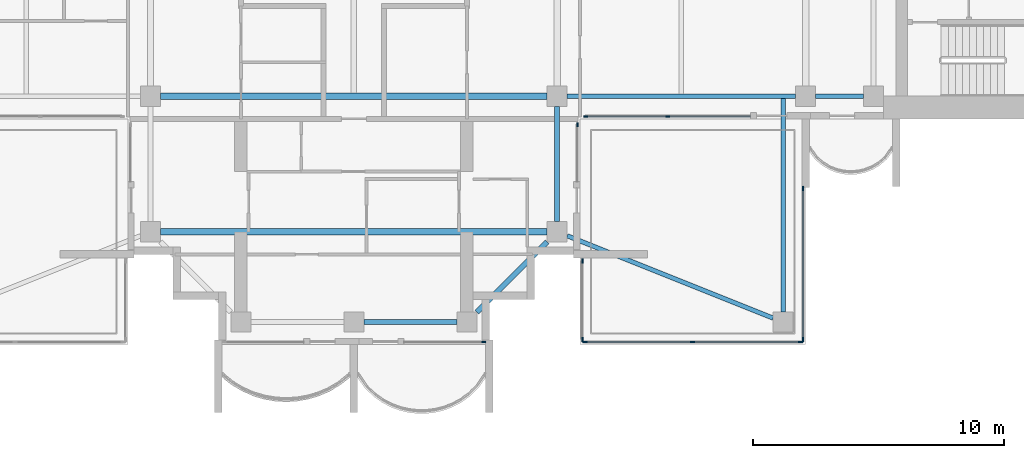
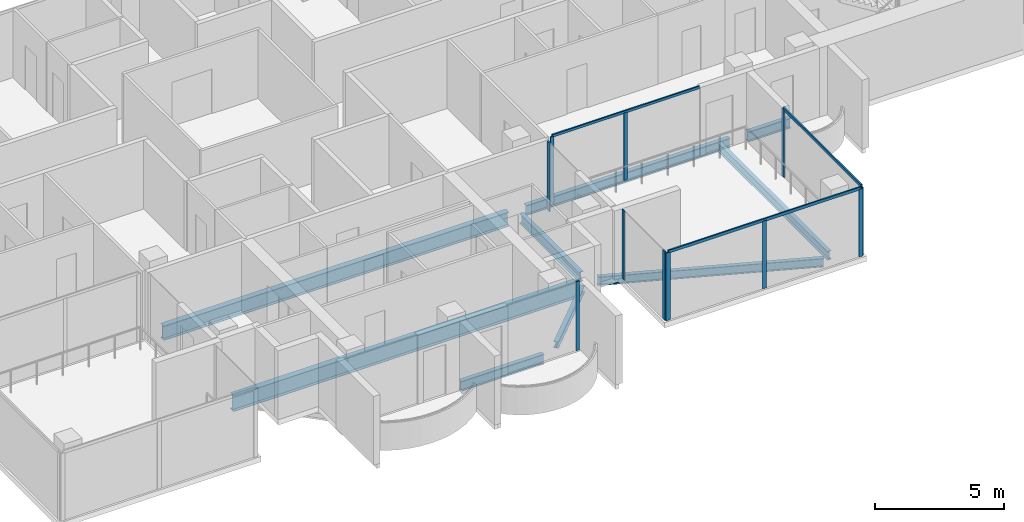
# One storey, part 3 of 16: 14 members, 9 beams, 6 elements without a shape of their own.
"""IFC4 building model written with IfcOpenShell, lengths in metres."""

from ifc_helpers import new_model, si_unit, direction, frame, origin, origin_2d, place, context, subcontext, project, spatial, rectangle, i_section, extrude, material, material_profile, profile_set, type_object, element, aggregate, save


model = new_model("IFC4")

# Units and contexts
model_context = context("Model", 3, precision=1e-05, world=origin(), true_north=direction((0.0, 1.0)))
body_context = subcontext(model_context, "Body", "Model", "MODEL_VIEW")
ifc_project = project(units=[si_unit("LENGTHUNIT", "METRE"), si_unit("AREAUNIT", "SQUARE_METRE"), si_unit("VOLUMEUNIT", "CUBIC_METRE"), si_unit("PLANEANGLEUNIT", "RADIAN"), si_unit("MASSUNIT", "GRAM", prefix="KILO")], contexts=[model_context])

# Site, building, storey
site_placement = place(None, origin())
site = spatial("IfcSite", under=ifc_project, at=site_placement, CompositionType="ELEMENT")
building_placement = place(site_placement, origin())
building = spatial("IfcBuilding", under=site, at=building_placement, Name="Perihelion Cross Residences", CompositionType="ELEMENT")
storey_placement = place(building_placement, frame((0.0, 0.0, 243.0)))
storey = spatial("IfcBuildingStorey", under=building, at=storey_placement, Name="L61", CompositionType="ELEMENT", Elevation=243.0)

# Curtain wall, member
ifc_material_1 = material(Name="Bronze anodised aluminium, tinted glazing", Category="aluminium")
curtain_wall_type_1 = type_object("IfcCurtainWallType", Name="CW1", PredefinedType="NOTDEFINED", material=ifc_material_1)
curtain_wall_1_placement = place(storey_placement, origin())
curtain_wall_1 = element("IfcCurtainWall", 1, at=curtain_wall_1_placement, inside=storey, type_object=curtain_wall_type_1, Name="Curtain wall CW1 L61 south tip south bay 2", PredefinedType="NOTDEFINED")
ifc_material_2 = material(Name="Bronze anodised aluminium", Category="aluminium")
ifc_material_profile_1 = material_profile(ifc_material_2, rectangle(XDim=0.06005859375, YDim=0.159912109375, at=origin_2d()), Name="CW1 mullion")
ifc_profile_set_1 = profile_set([ifc_material_profile_1], Name="Bronze anodised aluminium")
member_type_1 = type_object("IfcMemberType", Name="CW1 mullion", PredefinedType="MULLION", material=ifc_profile_set_1)
member_1_placement = place(storey_placement, frame((5.169921875, -17.89990234375, 0.0), z_axis=(0.0, 0.0, 1.0), x_axis=(0.0, 1.0, 0.0)))
member_1 = element("IfcMember", 2, at=member_1_placement, type_object=member_type_1, Name="CW1 mullion 2", PredefinedType="MULLION", context=body_context, shape_type="SweptSolid", body=[
    extrude(rectangle(XDim=0.06005859375, YDim=0.159912109375, at=origin_2d()), origin(), (0.0, 0.0, 1.0), 3.25),
])
aggregate(curtain_wall_1, [member_1])

curtain_wall_2_placement = place(storey_placement, origin())
curtain_wall_2 = element("IfcCurtainWall", 3, at=curtain_wall_2_placement, inside=storey, type_object=curtain_wall_type_1, Name="Curtain wall CW1 L61 south side east bay 1", PredefinedType="NOTDEFINED")
member_2_placement = place(storey_placement, frame((8.89990234375, -9.22998046875, 0.0), z_axis=(0.0, 0.0, 1.0), x_axis=(-1.0, 0.0, 0.0)))
member_2 = element("IfcMember", 4, at=member_2_placement, type_object=member_type_1, Name="CW1 mullion 2", PredefinedType="MULLION", context=body_context, shape_type="SweptSolid", body=[
    extrude(rectangle(XDim=0.06005859375, YDim=0.159912109375, at=origin_2d()), origin(), (0.0, 0.0, 1.0), 3.25),
])
aggregate(curtain_wall_2, [member_2])

# Curtain wall, members
curtain_wall_3_placement = place(storey_placement, origin())
curtain_wall_3 = element("IfcCurtainWall", 5, at=curtain_wall_3_placement, inside=storey, type_object=curtain_wall_type_1, Name="Curtain wall CW1 L61 east side south bay 1", PredefinedType="NOTDEFINED")
member_3_placement = place(storey_placement, frame((9.22998046875, -8.89990234375, 0.0), z_axis=(0.0, 0.0, 1.0), x_axis=(0.0, 1.0, 0.0)))
member_3 = element("IfcMember", 6, at=member_3_placement, type_object=member_type_1, Name="CW1 mullion 1", PredefinedType="MULLION", context=body_context, shape_type="SweptSolid", body=[
    extrude(rectangle(XDim=0.06005859375, YDim=0.159912109375, at=origin_2d()), origin(), (0.0, 0.0, 1.0), 3.18994140625),
])
member_4_placement = place(storey_placement, frame((12.5, -8.89990234375, 0.0), z_axis=(0.0, 0.0, 1.0), x_axis=(0.0, 1.0, 0.0)))
member_4 = element("IfcMember", 7, at=member_4_placement, type_object=member_type_1, Name="CW1 mullion 2", PredefinedType="MULLION", context=body_context, shape_type="SweptSolid", body=[
    extrude(rectangle(XDim=0.06005859375, YDim=0.159912109375, at=origin_2d()), origin(), (0.0, 0.0, 1.0), 3.18994140625),
])
ifc_material_3 = material(Name="Bronze anodised aluminium", Category="aluminium")
ifc_material_profile_2 = material_profile(ifc_material_3, rectangle(XDim=0.06005859375, YDim=0.1201171875, at=origin_2d()), Name="CW1 transom")
ifc_profile_set_2 = profile_set([ifc_material_profile_2], Name="Bronze anodised aluminium")
member_type_2 = type_object("IfcMemberType", Name="CW1 transom", PredefinedType="USERDEFINED", material=ifc_profile_set_2)
member_5_placement = place(storey_placement, frame((9.22998046875, -8.89990234375, 3.219970703125), z_axis=(1.0, 0.0, 0.0), x_axis=(0.0, 1.0, 0.0)))
member_5 = element("IfcMember", 8, at=member_5_placement, type_object=member_type_2, Name="CW1 head transom", ObjectType="TRANSOM", PredefinedType="USERDEFINED", context=body_context, shape_type="SweptSolid", body=[
    extrude(rectangle(XDim=0.06005859375, YDim=0.1201171875, at=origin_2d()), origin(), (0.0, 0.0, 1.0), 6.570068359375),
])
aggregate(curtain_wall_3, [member_3, member_4, member_5])

ifc_material_4 = material(Name="Bronze anodised aluminium, tinted glazing", Category="aluminium")
curtain_wall_type_2 = type_object("IfcCurtainWallType", Name="CW4", PredefinedType="NOTDEFINED", material=ifc_material_4)
curtain_wall_4_placement = place(storey_placement, origin())
curtain_wall_4 = element("IfcCurtainWall", 9, at=curtain_wall_4_placement, inside=storey, type_object=curtain_wall_type_2, Name="Curtain wall CW4 L61 pocket south-east 1 1", PredefinedType="NOTDEFINED")
ifc_material_5 = material(Name="Bronze anodised aluminium", Category="aluminium")
ifc_material_profile_3 = material_profile(ifc_material_5, rectangle(XDim=0.06005859375, YDim=0.179931640625, at=origin_2d()), Name="CW4 mullion")
ifc_profile_set_3 = profile_set([ifc_material_profile_3], Name="Bronze anodised aluminium")
member_type_3 = type_object("IfcMemberType", Name="CW4 mullion", PredefinedType="MULLION", material=ifc_profile_set_3)
member_6_placement = place(storey_placement, frame((17.89990234375, -11.77001953125, 0.0), z_axis=(0.0, 0.0, 1.0), x_axis=(1.0, 0.0, 0.0)))
member_6 = element("IfcMember", 10, at=member_6_placement, type_object=member_type_3, Name="CW4 mullion 1", PredefinedType="MULLION", context=body_context, shape_type="SweptSolid", body=[
    extrude(rectangle(XDim=0.06005859375, YDim=0.179931640625, at=origin_2d()), origin(), (0.0, 0.0, 1.0), 3.18994140625),
])
member_7_placement = place(storey_placement, frame((17.89990234375, -17.800048828125, 0.0), z_axis=(0.0, 0.0, 1.0), x_axis=(1.0, 0.0, 0.0)))
member_7 = element("IfcMember", 11, at=member_7_placement, type_object=member_type_3, Name="CW4 mullion 2", PredefinedType="MULLION", context=body_context, shape_type="SweptSolid", body=[
    extrude(rectangle(XDim=0.06005859375, YDim=0.179931640625, at=origin_2d()), origin(), (0.0, 0.0, 1.0), 3.18994140625),
])

curtain_wall_5_placement = place(storey_placement, origin())
curtain_wall_5 = element("IfcCurtainWall", 12, at=curtain_wall_5_placement, inside=storey, type_object=curtain_wall_type_2, Name="Curtain wall CW4 L61 pocket south-east 1 2", PredefinedType="NOTDEFINED")
member_8_placement = place(storey_placement, frame((17.800048828125, -17.89990234375, 0.0), z_axis=(0.0, 0.0, 1.0), x_axis=(0.0, -1.0, 0.0)))
member_8 = element("IfcMember", 13, at=member_8_placement, type_object=member_type_3, Name="CW4 mullion 1", PredefinedType="MULLION", context=body_context, shape_type="SweptSolid", body=[
    extrude(rectangle(XDim=0.06005859375, YDim=0.179931640625, at=origin_2d()), origin(), (0.0, 0.0, 1.0), 3.18994140625),
])
member_9_placement = place(storey_placement, frame((13.5, -17.89990234375, 0.0), z_axis=(0.0, 0.0, 1.0), x_axis=(0.0, -1.0, 0.0)))
member_9 = element("IfcMember", 14, at=member_9_placement, type_object=member_type_3, Name="CW4 mullion 2", PredefinedType="MULLION", context=body_context, shape_type="SweptSolid", body=[
    extrude(rectangle(XDim=0.06005859375, YDim=0.179931640625, at=origin_2d()), origin(), (0.0, 0.0, 1.0), 3.18994140625),
])
member_10_placement = place(storey_placement, frame((9.199951171875, -17.89990234375, 0.0), z_axis=(0.0, 0.0, 1.0), x_axis=(0.0, -1.0, 0.0)))
member_10 = element("IfcMember", 15, at=member_10_placement, type_object=member_type_3, Name="CW4 mullion 3", PredefinedType="MULLION", context=body_context, shape_type="SweptSolid", body=[
    extrude(rectangle(XDim=0.06005859375, YDim=0.179931640625, at=origin_2d()), origin(), (0.0, 0.0, 1.0), 3.18994140625),
])

curtain_wall_6_placement = place(storey_placement, origin())
curtain_wall_6 = element("IfcCurtainWall", 16, at=curtain_wall_6_placement, inside=storey, type_object=curtain_wall_type_2, Name="Curtain wall CW4 L61 pocket south-east 1 3", PredefinedType="NOTDEFINED")
member_11_placement = place(storey_placement, frame((9.10009765625, -17.800048828125, 0.0), z_axis=(0.0, 0.0, 1.0), x_axis=(-1.0, 0.0, 0.0)))
member_11 = element("IfcMember", 17, at=member_11_placement, type_object=member_type_3, Name="CW4 mullion 1", PredefinedType="MULLION", context=body_context, shape_type="SweptSolid", body=[
    extrude(rectangle(XDim=0.06005859375, YDim=0.179931640625, at=origin_2d()), origin(), (0.0, 0.0, 1.0), 3.25),
])
member_12_placement = place(storey_placement, frame((9.10009765625, -14.658935546875, 0.0), z_axis=(0.0, 0.0, 1.0), x_axis=(-1.0, 0.0, 0.0)))
member_12 = element("IfcMember", 18, at=member_12_placement, type_object=member_type_3, Name="CW4 mullion 2", PredefinedType="MULLION", context=body_context, shape_type="SweptSolid", body=[
    extrude(rectangle(XDim=0.06005859375, YDim=0.179931640625, at=origin_2d()), origin(), (0.0, 0.0, 1.0), 3.25),
])
aggregate(curtain_wall_6, [member_11, member_12])

# Member
ifc_material_6 = material(Name="Bronze anodised aluminium", Category="aluminium")
ifc_material_profile_4 = material_profile(ifc_material_6, rectangle(XDim=0.06005859375, YDim=0.139892578125, at=origin_2d()), Name="CW4 transom")
ifc_profile_set_4 = profile_set([ifc_material_profile_4], Name="Bronze anodised aluminium")
member_type_4 = type_object("IfcMemberType", Name="CW4 transom", PredefinedType="USERDEFINED", material=ifc_profile_set_4)
member_13_placement = place(storey_placement, frame((17.89990234375, -11.77001953125, 3.219970703125), z_axis=(0.0, -1.0, 0.0), x_axis=(1.0, 0.0, 0.0)))
member_13 = element("IfcMember", 19, at=member_13_placement, type_object=member_type_4, Name="CW4 head transom", ObjectType="TRANSOM", PredefinedType="USERDEFINED", context=body_context, shape_type="SweptSolid", body=[
    extrude(rectangle(XDim=0.06005859375, YDim=0.139892578125, at=origin_2d()), origin(), (0.0, 0.0, 1.0), 6.030029296875),
])

aggregate(curtain_wall_4, [member_6, member_7, member_13])

member_14_placement = place(storey_placement, frame((17.800048828125, -17.89990234375, 3.219970703125), z_axis=(-1.0, 0.0, 0.0), x_axis=(0.0, -1.0, 0.0)))
member_14 = element("IfcMember", 20, at=member_14_placement, type_object=member_type_4, Name="CW4 head transom", ObjectType="TRANSOM", PredefinedType="USERDEFINED", context=body_context, shape_type="SweptSolid", body=[
    extrude(rectangle(XDim=0.06005859375, YDim=0.139892578125, at=origin_2d()), origin(), (0.0, 0.0, 1.0), 8.60009765625),
])

aggregate(curtain_wall_5, [member_8, member_9, member_10, member_14])

# Beams
ifc_material_7 = material(Name="Steel S355", Category="steel")
ifc_material_profile_5 = material_profile(ifc_material_7, i_section(OverallWidth=0.177978515625, OverallDepth=0.406005859375, WebThickness=0.0078125, FlangeThickness=0.0126953125, at=origin_2d()), Name="W410x60")
ifc_profile_set_5 = profile_set([ifc_material_profile_5], Name="Steel S355")
beam_type_1 = type_object("IfcBeamType", Name="Core edge beam W410x60", PredefinedType="BEAM", material=ifc_profile_set_5)
beam_1_placement = place(storey_placement, frame((17.10009765625, -8.197021484375, -0.452880859375), z_axis=(0.0, -1.0, 0.0), x_axis=(1.0, 0.0, 0.0)))
element("IfcBeam", 21, at=beam_1_placement, inside=storey, type_object=beam_type_1, Name="Core edge beam TB2 L61 corner no. 3", PredefinedType="BEAM", context=body_context, shape_type="SweptSolid", body=[
    extrude(i_section(OverallWidth=0.177978515625, OverallDepth=0.406005859375, WebThickness=0.0078125, FlangeThickness=0.0126953125, at=origin_2d()), origin(), (0.0, 0.0, 1.0), 8.5029296875),
])
beam_2_placement = place(storey_placement, frame((8.5, -13.659912109375, -0.452880859375), z_axis=(0.928474784399, -0.371395442534, 0.0), x_axis=(0.371395442534, 0.928474784399, 0.0)))
element("IfcBeam", 22, at=beam_2_placement, inside=storey, type_object=beam_type_1, Name="Core edge beam TB2 L61 corner no. 4", PredefinedType="BEAM", context=body_context, shape_type="SweptSolid", body=[
    extrude(i_section(OverallWidth=0.177978515625, OverallDepth=0.406005859375, WebThickness=0.0078125, FlangeThickness=0.0126953125, at=origin_2d()), origin(), (0.0, 0.0, 1.0), 8.83154296875),
])
ifc_material_8 = material(Name="Steel S355", Category="steel")
ifc_material_profile_6 = material_profile(ifc_material_8, i_section(OverallWidth=0.194091796875, OverallDepth=0.469970703125, WebThickness=0.0126953125, FlangeThickness=0.0205078125, at=origin_2d()), Name="W460x106")
ifc_profile_set_6 = profile_set([ifc_material_profile_6], Name="Steel S355")
beam_type_2 = type_object("IfcBeamType", Name="Edge beam W460x106", PredefinedType="SPANDREL", material=ifc_profile_set_6)
beam_3_placement = place(storey_placement, frame((0.39990234375, -17.10009765625, -0.485107421875), z_axis=(1.0, 0.0, 0.0), x_axis=(0.0, 1.0, 0.0)))
element("IfcBeam", 23, at=beam_3_placement, inside=storey, type_object=beam_type_2, Name="Edge beam SB5 L61 no. 7", PredefinedType="SPANDREL", context=body_context, shape_type="SweptSolid", body=[
    extrude(i_section(OverallWidth=0.194091796875, OverallDepth=0.469970703125, WebThickness=0.0126953125, FlangeThickness=0.0205078125, at=origin_2d()), origin(), (0.0, 0.0, 1.0), 3.7001953125),
])
beam_4_placement = place(storey_placement, frame((8.10009765625, -13.10009765625, -0.485107421875), z_axis=(0.0, 1.0, 0.0), x_axis=(-1.0, 0.0, 0.0)))
element("IfcBeam", 24, at=beam_4_placement, inside=storey, type_object=beam_type_2, Name="Edge beam SB5 L61 no. 11", PredefinedType="SPANDREL", context=body_context, shape_type="SweptSolid", body=[
    extrude(i_section(OverallWidth=0.194091796875, OverallDepth=0.469970703125, WebThickness=0.0126953125, FlangeThickness=0.0205078125, at=origin_2d()), origin(), (0.0, 0.0, 1.0), 4.60009765625),
])
beam_5_placement = place(storey_placement, frame((8.5, -8.10009765625, -0.485107421875), z_axis=(1.0, 0.0, 0.0), x_axis=(0.0, 1.0, 0.0)))
element("IfcBeam", 25, at=beam_5_placement, inside=storey, type_object=beam_type_2, Name="Edge beam SB5 L61 no. 12", PredefinedType="SPANDREL", context=body_context, shape_type="SweptSolid", body=[
    extrude(i_section(OverallWidth=0.194091796875, OverallDepth=0.469970703125, WebThickness=0.0126953125, FlangeThickness=0.0205078125, at=origin_2d()), origin(), (0.0, 0.0, 1.0), 9.10009765625),
])
beam_6_placement = place(storey_placement, frame((18.39990234375, -8.10009765625, -0.485107421875), z_axis=(1.0, 0.0, 0.0), x_axis=(0.0, 1.0, 0.0)))
element("IfcBeam", 26, at=beam_6_placement, inside=storey, type_object=beam_type_2, Name="Edge beam SB5 L61 no. 8", PredefinedType="SPANDREL", context=body_context, shape_type="SweptSolid", body=[
    extrude(i_section(OverallWidth=0.194091796875, OverallDepth=0.469970703125, WebThickness=0.0126953125, FlangeThickness=0.0205078125, at=origin_2d()), origin(), (0.0, 0.0, 1.0), 1.900146484375),
])
ifc_material_9 = material(Name="Steel S355", Category="steel")
ifc_material_profile_7 = material_profile(ifc_material_9, i_section(OverallWidth=0.26708984375, OverallDepth=0.75390625, WebThickness=0.01318359375, FlangeThickness=0.01708984375, at=origin_2d()), Name="W760x147")
ifc_profile_set_7 = profile_set([ifc_material_profile_7], Name="Steel S355")
beam_type_3 = type_object("IfcBeamType", Name="Floor girder W760x147", PredefinedType="BEAM", material=ifc_profile_set_7)
beam_7_placement = place(storey_placement, frame((-7.699951171875, -13.5, -0.626953125), z_axis=(1.0, 0.0, 0.0), x_axis=(0.0, 1.0, 0.0)))
element("IfcBeam", 27, at=beam_7_placement, inside=storey, type_object=beam_type_3, Name="Girder G5 L61 no. 3", PredefinedType="BEAM", context=body_context, shape_type="SweptSolid", body=[
    extrude(i_section(OverallWidth=0.26708984375, OverallDepth=0.75390625, WebThickness=0.01318359375, FlangeThickness=0.01708984375, at=origin_2d()), origin(), (0.0, 0.0, 1.0), 15.39990234375),
])
ifc_material_10 = material(Name="Steel S355", Category="steel")
ifc_material_profile_8 = material_profile(ifc_material_10, i_section(OverallWidth=0.25390625, OverallDepth=0.677978515625, WebThickness=0.01171875, FlangeThickness=0.016357421875, at=origin_2d()), Name="W690x125")
ifc_profile_set_8 = profile_set([ifc_material_profile_8], Name="Steel S355")
beam_type_4 = type_object("IfcBeamType", Name="Hub ring girder W690x125", PredefinedType="BEAM", material=ifc_profile_set_8)
beam_8_placement = place(storey_placement, frame((-7.699951171875, -8.10009765625, -0.589111328125), z_axis=(1.0, 0.0, 0.0), x_axis=(0.0, 1.0, 0.0)))
element("IfcBeam", 28, at=beam_8_placement, inside=storey, type_object=beam_type_4, Name="Hub ring girder RG5 L61 no. 1", PredefinedType="BEAM", context=body_context, shape_type="SweptSolid", body=[
    extrude(i_section(OverallWidth=0.25390625, OverallDepth=0.677978515625, WebThickness=0.01171875, FlangeThickness=0.016357421875, at=origin_2d()), origin(), (0.0, 0.0, 1.0), 15.39990234375),
])
ifc_material_11 = material(Name="Steel S355", Category="steel")
ifc_material_profile_9 = material_profile(ifc_material_11, i_section(OverallWidth=0.202880859375, OverallDepth=0.302001953125, WebThickness=0.007568359375, FlangeThickness=0.01318359375, at=origin_2d()), Name="W310x60")
ifc_profile_set_9 = profile_set([ifc_material_profile_9], Name="Steel S355")
beam_type_5 = type_object("IfcBeamType", Name="Serration edge beam W310x60", PredefinedType="BEAM", material=ifc_profile_set_9)
beam_9_placement = place(storey_placement, frame((4.89990234375, -16.699951171875, -0.40087890625), z_axis=(0.707106781187, 0.707106781187, 0.0), x_axis=(-0.707106781187, 0.707106781187, 0.0)))
element("IfcBeam", 29, at=beam_9_placement, inside=storey, type_object=beam_type_5, Name="Serration edge beam EB5 L61 no. 2", PredefinedType="BEAM", context=body_context, shape_type="SweptSolid", body=[
    extrude(i_section(OverallWidth=0.202880859375, OverallDepth=0.302001953125, WebThickness=0.007568359375, FlangeThickness=0.01318359375, at=origin_2d()), origin(), (0.0, 0.0, 1.0), 3.9599609375),
])

save(model, "model.ifc")
